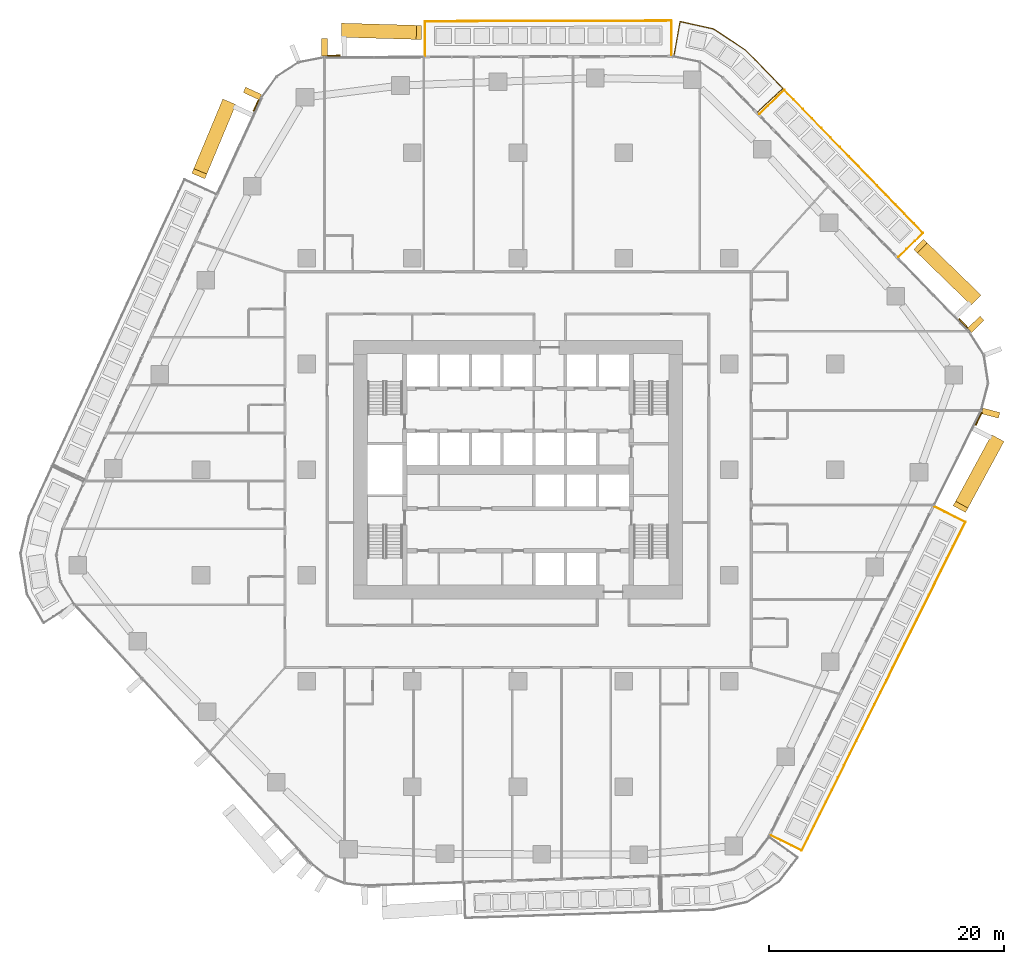
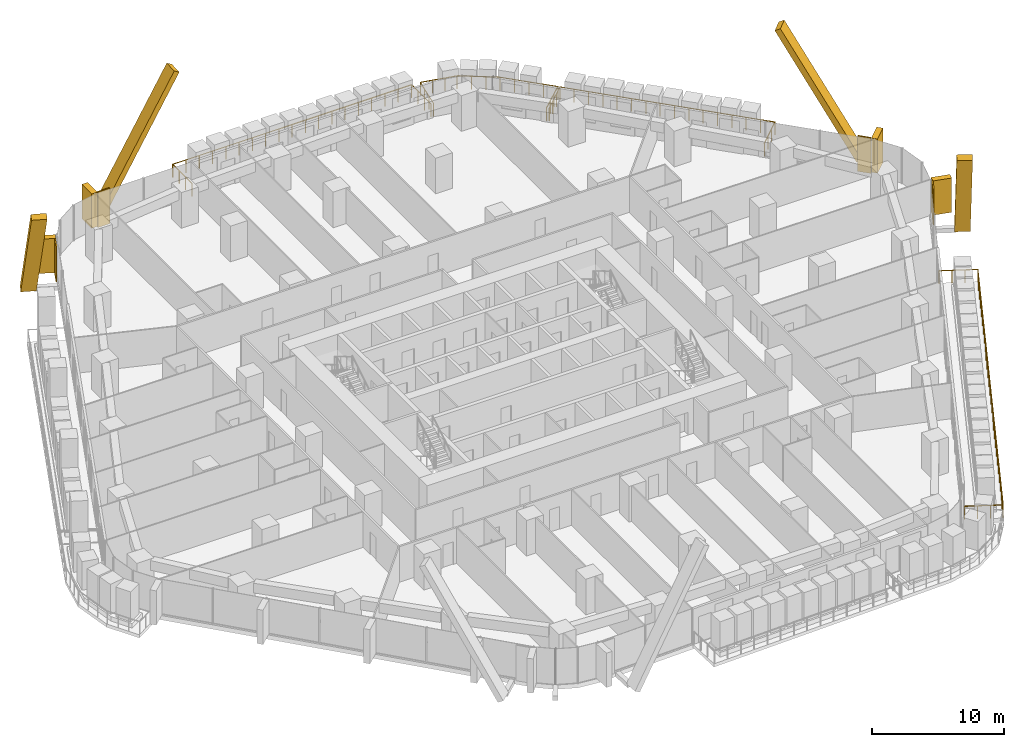
# One storey, part 27 of 27: 12 coverings, 4 railings, 5 elements without a shape of their own.
"""IFC4 building model written with IfcOpenShell, lengths in metres."""

from ifc_helpers import new_model, si_unit, direction, frame, origin, origin_2d, place, context, subcontext, project, spatial, rectangle, circle, extrude, material, layer, layer_set, material_profile, profile_set, type_object, element, aggregate, save


model = new_model("IFC4")

# Units and contexts
model_context = context("Model", 3, precision=1e-05, world=origin(), true_north=direction((0.0, 1.0)))
body_context = subcontext(model_context, "Body", "Model", "MODEL_VIEW")
ifc_project = project(units=[si_unit("LENGTHUNIT", "METRE"), si_unit("AREAUNIT", "SQUARE_METRE"), si_unit("VOLUMEUNIT", "CUBIC_METRE"), si_unit("PLANEANGLEUNIT", "RADIAN"), si_unit("MASSUNIT", "GRAM", prefix="KILO")], contexts=[model_context])

# Site, building, storey
site_placement = place(None, origin())
site = spatial("IfcSite", under=ifc_project, at=site_placement, CompositionType="ELEMENT")
building_placement = place(site_placement, origin())
building = spatial("IfcBuilding", under=site, at=building_placement, Name="Dongbaek Canopy Tower", CompositionType="ELEMENT")
storey_placement = place(building_placement, frame((0.0, 0.0, 62.5)))
storey = spatial("IfcBuildingStorey", under=building, at=storey_placement, Name="L11", CompositionType="ELEMENT", Elevation=62.5)

# Railings
ifc_material_1 = material(Name="Stainless steel", Category="steel")
railing_type = type_object("IfcRailingType", Name="Balcony balustrade 1200", PredefinedType="BALUSTRADE", material=ifc_material_1)
railing_1_placement = place(storey_placement, frame((32.384033203125, 18.10546875, 0.0)))
element("IfcRailing", 1, at=railing_1_placement, inside=storey, type_object=railing_type, Name="Balcony guard L11 1", PredefinedType="BALUSTRADE", context=body_context, shape_type="SweptSolid", body=[
    extrude(circle(Radius=0.02392578125, at=origin_2d()), frame((0.0, 0.0, 1.17578125), z_axis=(0.718023621674, 0.696018734459, 0.0), x_axis=(-0.696018734459, 0.718023621674, 0.0)), (0.0, 0.0, 1.0), 2.940185546875),
    extrude(circle(Radius=0.02392578125, at=origin_2d()), frame((2.111083984375, 2.04638671875, 1.17578125), z_axis=(-0.696033141623, 0.718009655759, 0.0), x_axis=(-0.718009655759, -0.696033141623, 0.0)), (0.0, 0.0, 1.0), 16.98583984375),
    extrude(circle(Radius=0.02392578125, at=origin_2d()), frame((-9.711669921875, 14.242431640625, 1.17578125), z_axis=(-0.718023621674, -0.696018734459, 0.0), x_axis=(0.696018734459, -0.718023621674, 0.0)), (0.0, 0.0, 1.0), 2.940185546875),
    extrude(circle(Radius=0.02099609375, at=origin_2d()), origin(), (0.0, 0.0, 1.0), 1.15185546875),
    extrude(circle(Radius=0.02099609375, at=origin_2d()), frame((0.70361328125, 0.68212890625, 0.0)), (0.0, 0.0, 1.0), 1.15185546875),
    extrude(circle(Radius=0.02099609375, at=origin_2d()), frame((1.407470703125, 1.3642578125, 0.0)), (0.0, 0.0, 1.0), 1.15185546875),
    extrude(circle(Radius=0.02099609375, at=origin_2d()), frame((2.111083984375, 2.04638671875, 0.0)), (0.0, 0.0, 1.0), 1.15185546875),
    extrude(circle(Radius=0.02099609375, at=origin_2d()), frame((1.322998046875, 2.859375, 0.0)), (0.0, 0.0, 1.0), 1.15185546875),
    extrude(circle(Radius=0.02099609375, at=origin_2d()), frame((0.53466796875, 3.672607421875, 0.0)), (0.0, 0.0, 1.0), 1.15185546875),
    extrude(circle(Radius=0.02099609375, at=origin_2d()), frame((-0.25341796875, 4.485595703125, 0.0)), (0.0, 0.0, 1.0), 1.15185546875),
    extrude(circle(Radius=0.02099609375, at=origin_2d()), frame((-1.041748046875, 5.298583984375, 0.0)), (0.0, 0.0, 1.0), 1.15185546875),
    extrude(circle(Radius=0.02099609375, at=origin_2d()), frame((-1.829833984375, 6.11181640625, 0.0)), (0.0, 0.0, 1.0), 1.15185546875),
    extrude(circle(Radius=0.02099609375, at=origin_2d()), frame((-2.617919921875, 6.9248046875, 0.0)), (0.0, 0.0, 1.0), 1.15185546875),
    extrude(circle(Radius=0.02099609375, at=origin_2d()), frame((-3.40625, 7.73779296875, 0.0)), (0.0, 0.0, 1.0), 1.15185546875),
    extrude(circle(Radius=0.02099609375, at=origin_2d()), frame((-4.1943359375, 8.551025390625, 0.0)), (0.0, 0.0, 1.0), 1.15185546875),
    extrude(circle(Radius=0.02099609375, at=origin_2d()), frame((-4.982666015625, 9.364013671875, 0.0)), (0.0, 0.0, 1.0), 1.15185546875),
    extrude(circle(Radius=0.02099609375, at=origin_2d()), frame((-5.770751953125, 10.177001953125, 0.0)), (0.0, 0.0, 1.0), 1.15185546875),
    extrude(circle(Radius=0.02099609375, at=origin_2d()), frame((-6.558837890625, 10.990234375, 0.0)), (0.0, 0.0, 1.0), 1.15185546875),
    extrude(circle(Radius=0.02099609375, at=origin_2d()), frame((-7.34716796875, 11.80322265625, 0.0)), (0.0, 0.0, 1.0), 1.15185546875),
    extrude(circle(Radius=0.02099609375, at=origin_2d()), frame((-8.13525390625, 12.6162109375, 0.0)), (0.0, 0.0, 1.0), 1.15185546875),
    extrude(circle(Radius=0.02099609375, at=origin_2d()), frame((-8.923583984375, 13.429443359375, 0.0)), (0.0, 0.0, 1.0), 1.15185546875),
    extrude(circle(Radius=0.02099609375, at=origin_2d()), frame((-9.711669921875, 14.242431640625, 0.0)), (0.0, 0.0, 1.0), 1.15185546875),
    extrude(circle(Radius=0.02099609375, at=origin_2d()), frame((-10.415283203125, 13.560302734375, 0.0)), (0.0, 0.0, 1.0), 1.15185546875),
    extrude(circle(Radius=0.02099609375, at=origin_2d()), frame((-11.119140625, 12.878173828125, 0.0)), (0.0, 0.0, 1.0), 1.15185546875),
    extrude(circle(Radius=0.02099609375, at=origin_2d()), frame((-11.82275390625, 12.196044921875, 0.0)), (0.0, 0.0, 1.0), 1.15185546875),
])
railing_2_placement = place(storey_placement, frame((20.408203125, 30.45947265625, 0.0)))
element("IfcRailing", 2, at=railing_2_placement, inside=storey, type_object=railing_type, Name="Balcony guard L11 6", PredefinedType="BALUSTRADE", context=body_context, shape_type="SweptSolid", body=[
    extrude(circle(Radius=0.02392578125, at=origin_2d()), frame((0.0, 0.0, 1.17578125), z_axis=(0.732095259617, 0.681202268673, 0.0), x_axis=(-0.681202268673, 0.732095259617, 0.0)), (0.0, 0.0, 1.0), 2.940673828125),
    extrude(circle(Radius=0.02392578125, at=origin_2d()), frame((2.15283203125, 2.003173828125, 1.17578125), z_axis=(-0.69838088973, 0.715726297449, 0.0), x_axis=(-0.715726297449, -0.69838088973, 0.0)), (0.0, 0.0, 1.0), 4.54638671875),
    extrude(circle(Radius=0.02392578125, at=origin_2d()), frame((-1.022216796875, 5.257080078125, 1.17578125), z_axis=(-0.832874716768, 0.55346156702, 0.0), x_axis=(-0.55346156702, -0.832874716768, 0.0)), (0.0, 0.0, 1.0), 3.276611328125),
    extrude(circle(Radius=0.02392578125, at=origin_2d()), frame((-3.751220703125, 7.070556640625, 1.17578125), z_axis=(-0.976241893003, 0.216683562705, 0.0), x_axis=(-0.216683562705, -0.976241893003, 0.0)), (0.0, 0.0, 1.0), 2.931640625),
    extrude(circle(Radius=0.02392578125, at=origin_2d()), frame((-6.61328125, 7.705810546875, 1.17578125), z_axis=(-0.176919785604, -0.984225273737, 0.0), x_axis=(0.984225273737, -0.176919785604, 0.0)), (0.0, 0.0, 1.0), 2.940673828125),
    extrude(circle(Radius=0.02099609375, at=origin_2d()), origin(), (0.0, 0.0, 1.0), 1.15185546875),
    extrude(circle(Radius=0.02099609375, at=origin_2d()), frame((0.717529296875, 0.667724609375, 0.0)), (0.0, 0.0, 1.0), 1.15185546875),
    extrude(circle(Radius=0.02099609375, at=origin_2d()), frame((1.435302734375, 1.33544921875, 0.0)), (0.0, 0.0, 1.0), 1.15185546875),
    extrude(circle(Radius=0.02099609375, at=origin_2d()), frame((2.15283203125, 2.003173828125, 0.0)), (0.0, 0.0, 1.0), 1.15185546875),
    extrude(circle(Radius=0.02099609375, at=origin_2d()), frame((1.359130859375, 2.816650390625, 0.0)), (0.0, 0.0, 1.0), 1.15185546875),
    extrude(circle(Radius=0.02099609375, at=origin_2d()), frame((0.5654296875, 3.630126953125, 0.0)), (0.0, 0.0, 1.0), 1.15185546875),
    extrude(circle(Radius=0.02099609375, at=origin_2d()), frame((-0.228515625, 4.443603515625, 0.0)), (0.0, 0.0, 1.0), 1.15185546875),
    extrude(circle(Radius=0.02099609375, at=origin_2d()), frame((-1.022216796875, 5.257080078125, 0.0)), (0.0, 0.0, 1.0), 1.15185546875),
    extrude(circle(Radius=0.02099609375, at=origin_2d()), frame((-1.931884765625, 5.861572265625, 0.0)), (0.0, 0.0, 1.0), 1.15185546875),
    extrude(circle(Radius=0.02099609375, at=origin_2d()), frame((-2.841552734375, 6.466064453125, 0.0)), (0.0, 0.0, 1.0), 1.15185546875),
    extrude(circle(Radius=0.02099609375, at=origin_2d()), frame((-3.751220703125, 7.070556640625, 0.0)), (0.0, 0.0, 1.0), 1.15185546875),
    extrude(circle(Radius=0.02099609375, at=origin_2d()), frame((-4.705322265625, 7.2822265625, 0.0)), (0.0, 0.0, 1.0), 1.15185546875),
    extrude(circle(Radius=0.02099609375, at=origin_2d()), frame((-5.6591796875, 7.494140625, 0.0)), (0.0, 0.0, 1.0), 1.15185546875),
    extrude(circle(Radius=0.02099609375, at=origin_2d()), frame((-6.61328125, 7.705810546875, 0.0)), (0.0, 0.0, 1.0), 1.15185546875),
    extrude(circle(Radius=0.02099609375, at=origin_2d()), frame((-6.78662109375, 6.740966796875, 0.0)), (0.0, 0.0, 1.0), 1.15185546875),
    extrude(circle(Radius=0.02099609375, at=origin_2d()), frame((-6.960205078125, 5.7763671875, 0.0)), (0.0, 0.0, 1.0), 1.15185546875),
    extrude(circle(Radius=0.02099609375, at=origin_2d()), frame((-7.133544921875, 4.8115234375, 0.0)), (0.0, 0.0, 1.0), 1.15185546875),
])
railing_3_placement = place(storey_placement, frame((13.056884765625, 35.292236328125, 0.0)))
element("IfcRailing", 3, at=railing_3_placement, inside=storey, type_object=railing_type, Name="Balcony guard L11 2", PredefinedType="BALUSTRADE", context=body_context, shape_type="SweptSolid", body=[
    extrude(circle(Radius=0.02392578125, at=origin_2d()), frame((0.0, 0.0, 1.17578125), z_axis=(-0.002657356503, 0.999996469222, 0.0), x_axis=(-0.999996469222, -0.002657356503, 0.0)), (0.0, 0.0, 1.0), 2.93994140625),
    extrude(circle(Radius=0.02392578125, at=origin_2d()), frame((-0.0078125, 2.93994140625, 1.17578125), z_axis=(-0.999996476187, -0.002654734253, 0.0), x_axis=(0.002654734253, -0.999996476187, 0.0)), (0.0, 0.0, 1.0), 20.9677734375),
    extrude(circle(Radius=0.02392578125, at=origin_2d()), frame((-20.9755859375, 2.88427734375, 1.17578125), z_axis=(0.002740170731, -0.999996245725, 0.0), x_axis=(0.999996245725, 0.002740170731, 0.0)), (0.0, 0.0, 1.0), 2.940185546875),
    extrude(circle(Radius=0.02099609375, at=origin_2d()), origin(), (0.0, 0.0, 1.0), 1.15185546875),
    extrude(circle(Radius=0.02099609375, at=origin_2d()), frame((-0.002685546875, 0.97998046875, 0.0)), (0.0, 0.0, 1.0), 1.15185546875),
    extrude(circle(Radius=0.02099609375, at=origin_2d()), frame((-0.005126953125, 1.9599609375, 0.0)), (0.0, 0.0, 1.0), 1.15185546875),
    extrude(circle(Radius=0.02099609375, at=origin_2d()), frame((-0.0078125, 2.93994140625, 0.0)), (0.0, 0.0, 1.0), 1.15185546875),
    extrude(circle(Radius=0.02099609375, at=origin_2d()), frame((-1.172607421875, 2.936767578125, 0.0)), (0.0, 0.0, 1.0), 1.15185546875),
    extrude(circle(Radius=0.02099609375, at=origin_2d()), frame((-2.337646484375, 2.933837890625, 0.0)), (0.0, 0.0, 1.0), 1.15185546875),
    extrude(circle(Radius=0.02099609375, at=origin_2d()), frame((-3.50244140625, 2.9306640625, 0.0)), (0.0, 0.0, 1.0), 1.15185546875),
    extrude(circle(Radius=0.02099609375, at=origin_2d()), frame((-4.667236328125, 2.927490234375, 0.0)), (0.0, 0.0, 1.0), 1.15185546875),
    extrude(circle(Radius=0.02099609375, at=origin_2d()), frame((-5.832275390625, 2.924560546875, 0.0)), (0.0, 0.0, 1.0), 1.15185546875),
    extrude(circle(Radius=0.02099609375, at=origin_2d()), frame((-6.9970703125, 2.92138671875, 0.0)), (0.0, 0.0, 1.0), 1.15185546875),
    extrude(circle(Radius=0.02099609375, at=origin_2d()), frame((-8.161865234375, 2.918212890625, 0.0)), (0.0, 0.0, 1.0), 1.15185546875),
    extrude(circle(Radius=0.02099609375, at=origin_2d()), frame((-9.326904296875, 2.915283203125, 0.0)), (0.0, 0.0, 1.0), 1.15185546875),
    extrude(circle(Radius=0.02099609375, at=origin_2d()), frame((-10.49169921875, 2.912109375, 0.0)), (0.0, 0.0, 1.0), 1.15185546875),
    extrude(circle(Radius=0.02099609375, at=origin_2d()), frame((-11.656494140625, 2.908935546875, 0.0)), (0.0, 0.0, 1.0), 1.15185546875),
    extrude(circle(Radius=0.02099609375, at=origin_2d()), frame((-12.821533203125, 2.906005859375, 0.0)), (0.0, 0.0, 1.0), 1.15185546875),
    extrude(circle(Radius=0.02099609375, at=origin_2d()), frame((-13.986328125, 2.90283203125, 0.0)), (0.0, 0.0, 1.0), 1.15185546875),
    extrude(circle(Radius=0.02099609375, at=origin_2d()), frame((-15.151123046875, 2.899658203125, 0.0)), (0.0, 0.0, 1.0), 1.15185546875),
    extrude(circle(Radius=0.02099609375, at=origin_2d()), frame((-16.316162109375, 2.896728515625, 0.0)), (0.0, 0.0, 1.0), 1.15185546875),
    extrude(circle(Radius=0.02099609375, at=origin_2d()), frame((-17.48095703125, 2.8935546875, 0.0)), (0.0, 0.0, 1.0), 1.15185546875),
    extrude(circle(Radius=0.02099609375, at=origin_2d()), frame((-18.645751953125, 2.890380859375, 0.0)), (0.0, 0.0, 1.0), 1.15185546875),
    extrude(circle(Radius=0.02099609375, at=origin_2d()), frame((-19.810791015625, 2.887451171875, 0.0)), (0.0, 0.0, 1.0), 1.15185546875),
    extrude(circle(Radius=0.02099609375, at=origin_2d()), frame((-20.9755859375, 2.88427734375, 0.0)), (0.0, 0.0, 1.0), 1.15185546875),
    extrude(circle(Radius=0.02099609375, at=origin_2d()), frame((-20.972900390625, 1.904296875, 0.0)), (0.0, 0.0, 1.0), 1.15185546875),
    extrude(circle(Radius=0.02099609375, at=origin_2d()), frame((-20.97021484375, 0.924072265625, 0.0)), (0.0, 0.0, 1.0), 1.15185546875),
    extrude(circle(Radius=0.02099609375, at=origin_2d()), frame((-20.967529296875, -0.055908203125, 0.0)), (0.0, 0.0, 1.0), 1.15185546875),
])
railing_4_placement = place(storey_placement, frame((21.525146484375, -31.12890625, 0.0)))
element("IfcRailing", 4, at=railing_4_placement, inside=storey, type_object=railing_type, Name="Balcony guard L11 5", PredefinedType="BALUSTRADE", context=body_context, shape_type="SweptSolid", body=[
    extrude(circle(Radius=0.02392578125, at=origin_2d()), frame((0.0, 0.0, 1.17578125), z_axis=(0.895189869803, -0.445684975068, 0.0), x_axis=(0.445684975068, 0.895189869803, 0.0)), (0.0, 0.0, 1.0), 2.93994140625),
    extrude(circle(Radius=0.02392578125, at=origin_2d()), frame((2.6318359375, -1.310302734375, 1.17578125), z_axis=(0.445675691297, 0.895194491821, 0.0), x_axis=(-0.895194491821, 0.445675691297, 0.0)), (0.0, 0.0, 1.0), 31.255126953125),
    extrude(circle(Radius=0.02392578125, at=origin_2d()), frame((16.5615234375, 26.669189453125, 1.17578125), z_axis=(-0.895189869803, 0.445684975068, 0.0), x_axis=(-0.445684975068, -0.895189869803, 0.0)), (0.0, 0.0, 1.0), 2.93994140625),
    extrude(circle(Radius=0.02099609375, at=origin_2d()), origin(), (0.0, 0.0, 1.0), 1.15185546875),
    extrude(circle(Radius=0.02099609375, at=origin_2d()), frame((0.877197265625, -0.436767578125, 0.0)), (0.0, 0.0, 1.0), 1.15185546875),
    extrude(circle(Radius=0.02099609375, at=origin_2d()), frame((1.754638671875, -0.87353515625, 0.0)), (0.0, 0.0, 1.0), 1.15185546875),
    extrude(circle(Radius=0.02099609375, at=origin_2d()), frame((2.6318359375, -1.310302734375, 0.0)), (0.0, 0.0, 1.0), 1.15185546875),
    extrude(circle(Radius=0.02099609375, at=origin_2d()), frame((3.147705078125, -0.27392578125, 0.0)), (0.0, 0.0, 1.0), 1.15185546875),
    extrude(circle(Radius=0.02099609375, at=origin_2d()), frame((3.66357421875, 0.76220703125, 0.0)), (0.0, 0.0, 1.0), 1.15185546875),
    extrude(circle(Radius=0.02099609375, at=origin_2d()), frame((4.1796875, 1.798583984375, 0.0)), (0.0, 0.0, 1.0), 1.15185546875),
    extrude(circle(Radius=0.02099609375, at=origin_2d()), frame((4.695556640625, 2.834716796875, 0.0)), (0.0, 0.0, 1.0), 1.15185546875),
    extrude(circle(Radius=0.02099609375, at=origin_2d()), frame((5.21142578125, 3.87109375, 0.0)), (0.0, 0.0, 1.0), 1.15185546875),
    extrude(circle(Radius=0.02099609375, at=origin_2d()), frame((5.727294921875, 4.907470703125, 0.0)), (0.0, 0.0, 1.0), 1.15185546875),
    extrude(circle(Radius=0.02099609375, at=origin_2d()), frame((6.2431640625, 5.943603515625, 0.0)), (0.0, 0.0, 1.0), 1.15185546875),
    extrude(circle(Radius=0.02099609375, at=origin_2d()), frame((6.759033203125, 6.97998046875, 0.0)), (0.0, 0.0, 1.0), 1.15185546875),
    extrude(circle(Radius=0.02099609375, at=origin_2d()), frame((7.275146484375, 8.01611328125, 0.0)), (0.0, 0.0, 1.0), 1.15185546875),
    extrude(circle(Radius=0.02099609375, at=origin_2d()), frame((7.791015625, 9.052490234375, 0.0)), (0.0, 0.0, 1.0), 1.15185546875),
    extrude(circle(Radius=0.02099609375, at=origin_2d()), frame((8.306884765625, 10.0888671875, 0.0)), (0.0, 0.0, 1.0), 1.15185546875),
    extrude(circle(Radius=0.02099609375, at=origin_2d()), frame((8.82275390625, 11.125, 0.0)), (0.0, 0.0, 1.0), 1.15185546875),
    extrude(circle(Radius=0.02099609375, at=origin_2d()), frame((9.338623046875, 12.161376953125, 0.0)), (0.0, 0.0, 1.0), 1.15185546875),
    extrude(circle(Radius=0.02099609375, at=origin_2d()), frame((9.854736328125, 13.197509765625, 0.0)), (0.0, 0.0, 1.0), 1.15185546875),
    extrude(circle(Radius=0.02099609375, at=origin_2d()), frame((10.37060546875, 14.23388671875, 0.0)), (0.0, 0.0, 1.0), 1.15185546875),
    extrude(circle(Radius=0.02099609375, at=origin_2d()), frame((10.886474609375, 15.27001953125, 0.0)), (0.0, 0.0, 1.0), 1.15185546875),
    extrude(circle(Radius=0.02099609375, at=origin_2d()), frame((11.40234375, 16.306396484375, 0.0)), (0.0, 0.0, 1.0), 1.15185546875),
    extrude(circle(Radius=0.02099609375, at=origin_2d()), frame((11.918212890625, 17.3427734375, 0.0)), (0.0, 0.0, 1.0), 1.15185546875),
    extrude(circle(Radius=0.02099609375, at=origin_2d()), frame((12.434326171875, 18.37890625, 0.0)), (0.0, 0.0, 1.0), 1.15185546875),
    extrude(circle(Radius=0.02099609375, at=origin_2d()), frame((12.9501953125, 19.415283203125, 0.0)), (0.0, 0.0, 1.0), 1.15185546875),
    extrude(circle(Radius=0.02099609375, at=origin_2d()), frame((13.466064453125, 20.451416015625, 0.0)), (0.0, 0.0, 1.0), 1.15185546875),
    extrude(circle(Radius=0.02099609375, at=origin_2d()), frame((13.98193359375, 21.48779296875, 0.0)), (0.0, 0.0, 1.0), 1.15185546875),
    extrude(circle(Radius=0.02099609375, at=origin_2d()), frame((14.497802734375, 22.524169921875, 0.0)), (0.0, 0.0, 1.0), 1.15185546875),
    extrude(circle(Radius=0.02099609375, at=origin_2d()), frame((15.013671875, 23.560302734375, 0.0)), (0.0, 0.0, 1.0), 1.15185546875),
    extrude(circle(Radius=0.02099609375, at=origin_2d()), frame((15.52978515625, 24.5966796875, 0.0)), (0.0, 0.0, 1.0), 1.15185546875),
    extrude(circle(Radius=0.02099609375, at=origin_2d()), frame((16.045654296875, 25.6328125, 0.0)), (0.0, 0.0, 1.0), 1.15185546875),
    extrude(circle(Radius=0.02099609375, at=origin_2d()), frame((16.5615234375, 26.669189453125, 0.0)), (0.0, 0.0, 1.0), 1.15185546875),
    extrude(circle(Radius=0.02099609375, at=origin_2d()), frame((15.684326171875, 27.10595703125, 0.0)), (0.0, 0.0, 1.0), 1.15185546875),
    extrude(circle(Radius=0.02099609375, at=origin_2d()), frame((14.806884765625, 27.542724609375, 0.0)), (0.0, 0.0, 1.0), 1.15185546875),
    extrude(circle(Radius=0.02099609375, at=origin_2d()), frame((13.9296875, 27.9794921875, 0.0)), (0.0, 0.0, 1.0), 1.15185546875),
])

# Curtain wall, covering
ifc_material_2 = material(Name="Aluminium 6063-T6 pale anodised", Category="aluminium")
ifc_layer_1 = layer(ifc_material_2, 0.199951171875)
ifc_layer_set_1 = layer_set([ifc_layer_1], Name="CW-1 unitised tower curtain wall")
curtain_wall_type = type_object("IfcCurtainWallType", Name="CW-1 unitised tower curtain wall", PredefinedType="NOTDEFINED", material=ifc_layer_set_1)
curtain_wall_1_placement = place(storey_placement, origin())
curtain_wall_1 = element("IfcCurtainWall", 5, at=curtain_wall_1_placement, inside=storey, type_object=curtain_wall_type, Name="CW-1 curtain wall F5.1", PredefinedType="NOTDEFINED")
ifc_material_3 = material(Name="Aluminium 6063-T6 pale metal fin", Category="aluminium")
ifc_material_profile_1 = material_profile(ifc_material_3, rectangle(XDim=1.199951171875, YDim=0.5, at=origin_2d()), Name="Crease fin CF1 500 x 1200 pale metal")
ifc_profile_set_1 = profile_set([ifc_material_profile_1], Name="Aluminium 6063-T6 pale metal fin")
covering_type_1 = type_object("IfcCoveringType", Name="Crease fin CF1 500 x 1200 pale metal", PredefinedType="CLADDING", material=ifc_profile_set_1)
covering_1_placement = place(storey_placement, frame((40.749267578125, 2.498291015625, -0.199951171875), z_axis=(-0.23909061135, -0.441313176488, 0.864915232738), x_axis=(0.879253603677, -0.476353965472, 0.0)))
covering_1 = element("IfcCovering", 6, at=covering_1_placement, type_object=covering_type_1, Name="Crease fin L11 L14 F5", PredefinedType="CLADDING", context=body_context, shape_type="SweptSolid", body=[
    extrude(rectangle(XDim=1.199951171875, YDim=0.5, at=origin_2d()), origin(), (0.0, 0.0, 1.0), 12.83349609375),
])

curtain_wall_2_placement = place(storey_placement, origin())
curtain_wall_2 = element("IfcCurtainWall", 7, at=curtain_wall_2_placement, inside=storey, type_object=curtain_wall_type, Name="CW-1 curtain wall F0.1", PredefinedType="NOTDEFINED")
covering_2_placement = place(storey_placement, frame((38.84912109375, 14.588134765625, -0.199951171875), z_axis=(-0.358063049193, 0.347522252483, 0.866613602958), x_axis=(-0.696465542048, -0.71759023735, 0.0)))
covering_2 = element("IfcCovering", 8, at=covering_2_placement, type_object=covering_type_1, Name="Crease fin L11 L14 F0", PredefinedType="CLADDING", context=body_context, shape_type="SweptSolid", body=[
    extrude(rectangle(XDim=1.199951171875, YDim=0.5, at=origin_2d()), origin(), (0.0, 0.0, 1.0), 12.808349609375),
])

curtain_wall_3_placement = place(storey_placement, origin())
curtain_wall_3 = element("IfcCurtainWall", 9, at=curtain_wall_3_placement, inside=storey, type_object=curtain_wall_type, Name="CW-1 curtain wall F1.1", PredefinedType="NOTDEFINED")
covering_3_placement = place(storey_placement, frame((-14.814208984375, 37.4169921875, -0.199951171875), z_axis=(0.497884725805, -0.014247074897, 0.867126184974), x_axis=(0.028603499507, 0.9995908362, 0.0)))
covering_3 = element("IfcCovering", 10, at=covering_3_placement, type_object=covering_type_1, Name="Crease fin L11 L14 F1", PredefinedType="CLADDING", context=body_context, shape_type="SweptSolid", body=[
    extrude(rectangle(XDim=1.199951171875, YDim=0.5, at=origin_2d()), origin(), (0.0, 0.0, 1.0), 12.80078125),
])

curtain_wall_4_placement = place(storey_placement, origin())
curtain_wall_4 = element("IfcCurtainWall", 11, at=curtain_wall_4_placement, inside=storey, type_object=curtain_wall_type, Name="CW-1 curtain wall F2.1", PredefinedType="NOTDEFINED")
covering_4_placement = place(storey_placement, frame((-24.66650390625, 31.131103515625, -0.199951171875), z_axis=(-0.192895994289, -0.462135547313, 0.865576034382), x_axis=(0.922836039994, -0.385192994859, 0.0)))
covering_4 = element("IfcCovering", 12, at=covering_4_placement, type_object=covering_type_1, Name="Crease fin L11 L14 F2", PredefinedType="CLADDING", context=body_context, shape_type="SweptSolid", body=[
    extrude(rectangle(XDim=1.199951171875, YDim=0.5, at=origin_2d()), origin(), (0.0, 0.0, 1.0), 12.82373046875),
])

# Covering
ifc_material_4 = material(Name="Perforated aluminium 6063-T6 pale metal screen", Category="aluminium")
ifc_layer_2 = layer(ifc_material_4, 0.10009765625)
ifc_layer_set_2 = layer_set([ifc_layer_2], Name="Facet screen FS1 100 pale metal")
covering_type_2 = type_object("IfcCoveringType", Name="Facet screen FS1 100 pale metal", PredefinedType="CLADDING", material=ifc_layer_set_2)
covering_5_placement = place(storey_placement, frame((39.22509765625, 4.320556640625, 0.0), z_axis=(0.0, 0.0, 1.0), x_axis=(0.445677606724, 0.895193538217, 0.0)))
covering_5 = element("IfcCovering", 13, at=covering_5_placement, type_object=covering_type_2, Name="Facet screen L11 F5", PredefinedType="CLADDING", context=body_context, shape_type="SweptSolid", body=[
    extrude(rectangle(XDim=1.216796875, YDim=0.10009765625, at=origin_2d()), origin(), (0.0, 0.0, 1.0), 3.300048828125),
])

aggregate(curtain_wall_1, [covering_1, covering_5])

covering_6_placement = place(storey_placement, frame((37.909423828125, 12.471923828125, 0.0), z_axis=(0.0, 0.0, 1.0), x_axis=(-0.696039375829, 0.718003612313, 0.0)))
covering_6 = element("IfcCovering", 14, at=covering_6_placement, type_object=covering_type_2, Name="Facet screen L11 F0", PredefinedType="CLADDING", context=body_context, shape_type="SweptSolid", body=[
    extrude(rectangle(XDim=1.04345703125, YDim=0.10009765625, at=origin_2d()), origin(), (0.0, 0.0, 1.0), 3.300048828125),
])

covering_7_placement = place(storey_placement, frame((-15.67431640625, 35.26171875, 0.0), z_axis=(0.0, 0.0, 1.0), x_axis=(-0.999996448576, -0.002665114613, 0.0)))
covering_7 = element("IfcCovering", 15, at=covering_7_placement, type_object=covering_type_2, Name="Facet screen L11 F1", PredefinedType="CLADDING", context=body_context, shape_type="SweptSolid", body=[
    extrude(rectangle(XDim=1.044189453125, YDim=0.10009765625, at=origin_2d()), origin(), (0.0, 0.0, 1.0), 3.300048828125),
])

covering_8_placement = place(storey_placement, frame((-22.314208984375, 30.99951171875, 0.0), z_axis=(0.0, 0.0, 1.0), x_axis=(-0.418811892509, -0.908073013966, 0.0)))
covering_8 = element("IfcCovering", 16, at=covering_8_placement, type_object=covering_type_2, Name="Facet screen L11 F2", PredefinedType="CLADDING", context=body_context, shape_type="SweptSolid", body=[
    extrude(rectangle(XDim=1.044189453125, YDim=0.10009765625, at=origin_2d()), origin(), (0.0, 0.0, 1.0), 3.300048828125),
])

# Curtain wall, covering
curtain_wall_5_placement = place(storey_placement, origin())
curtain_wall_5 = element("IfcCurtainWall", 17, at=curtain_wall_5_placement, inside=storey, type_object=curtain_wall_type, Name="CW-1 curtain wall K0.1", PredefinedType="NOTDEFINED")
ifc_material_5 = material(Name="Aluminium 6063-T6 pale metal fin", Category="aluminium")
ifc_material_profile_2 = material_profile(ifc_material_5, rectangle(XDim=1.5, YDim=0.5, at=origin_2d()), Name="Fin FN1 500 x 1500 pale metal")
ifc_profile_set_2 = profile_set([ifc_material_profile_2], Name="Aluminium 6063-T6 pale metal fin")
covering_type_3 = type_object("IfcCoveringType", Name="Fin FN1 500 x 1500 pale metal", PredefinedType="CLADDING", material=ifc_profile_set_2)
covering_9_placement = place(storey_placement, frame((40.23974609375, 4.819091796875, 0.1201171875), z_axis=(0.0, 0.0, 1.0), x_axis=(0.967250347585, -0.253824279961, 0.0)))
covering_9 = element("IfcCovering", 18, at=covering_9_placement, type_object=covering_type_3, Name="Fin K0.1.1", PredefinedType="CLADDING", context=body_context, shape_type="SweptSolid", body=[
    extrude(rectangle(XDim=1.5, YDim=0.5, at=origin_2d()), origin(), (0.0, 0.0, 1.0), 3.179931640625),
])
aggregate(curtain_wall_5, [covering_9])

# Covering
covering_10_placement = place(storey_placement, frame((38.97998046875, 12.379150390625, 0.1201171875), z_axis=(0.0, 0.0, 1.0), x_axis=(0.718004001298, 0.69603897457, 0.0)))
covering_10 = element("IfcCovering", 19, at=covering_10_placement, type_object=covering_type_3, Name="Fin F0.1.1", PredefinedType="CLADDING", context=body_context, shape_type="SweptSolid", body=[
    extrude(rectangle(XDim=1.5, YDim=0.5, at=origin_2d()), origin(), (0.0, 0.0, 1.0), 3.179931640625),
])

aggregate(curtain_wall_2, [covering_10, covering_2, covering_6])

covering_11_placement = place(storey_placement, frame((-16.48828125, 35.963623046875, 0.1201171875), z_axis=(0.0, 0.0, 1.0), x_axis=(-0.002665570299, 0.999996447361, 0.0)))
covering_11 = element("IfcCovering", 20, at=covering_11_placement, type_object=covering_type_3, Name="Fin F1.1.3", PredefinedType="CLADDING", context=body_context, shape_type="SweptSolid", body=[
    extrude(rectangle(XDim=1.5, YDim=0.5, at=origin_2d()), origin(), (0.0, 0.0, 1.0), 3.179931640625),
])

aggregate(curtain_wall_3, [covering_11, covering_3, covering_7])

covering_12_placement = place(storey_placement, frame((-22.61328125, 32.031982421875, 0.1201171875), z_axis=(0.0, 0.0, 1.0), x_axis=(-0.908073315942, 0.418811237761, 0.0)))
covering_12 = element("IfcCovering", 21, at=covering_12_placement, type_object=covering_type_3, Name="Fin F2.1.1", PredefinedType="CLADDING", context=body_context, shape_type="SweptSolid", body=[
    extrude(rectangle(XDim=1.5, YDim=0.5, at=origin_2d()), origin(), (0.0, 0.0, 1.0), 3.179931640625),
])

aggregate(curtain_wall_4, [covering_12, covering_4, covering_8])

save(model, "model.ifc")
